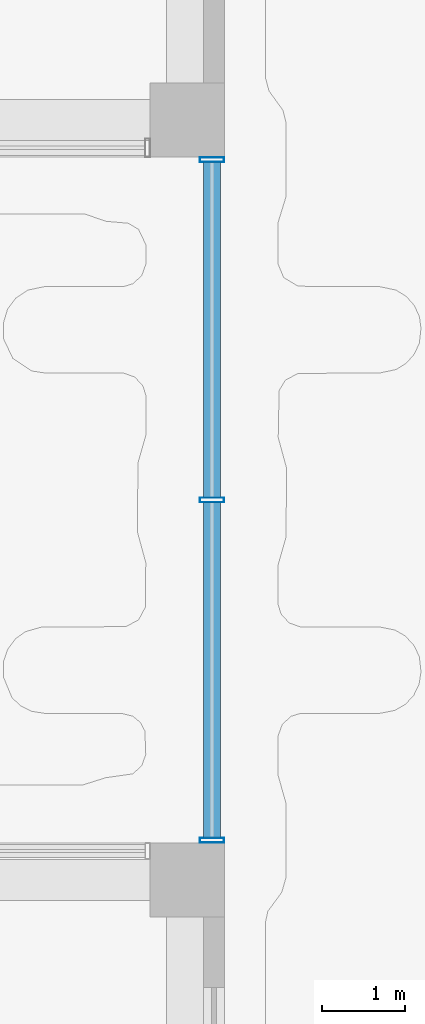
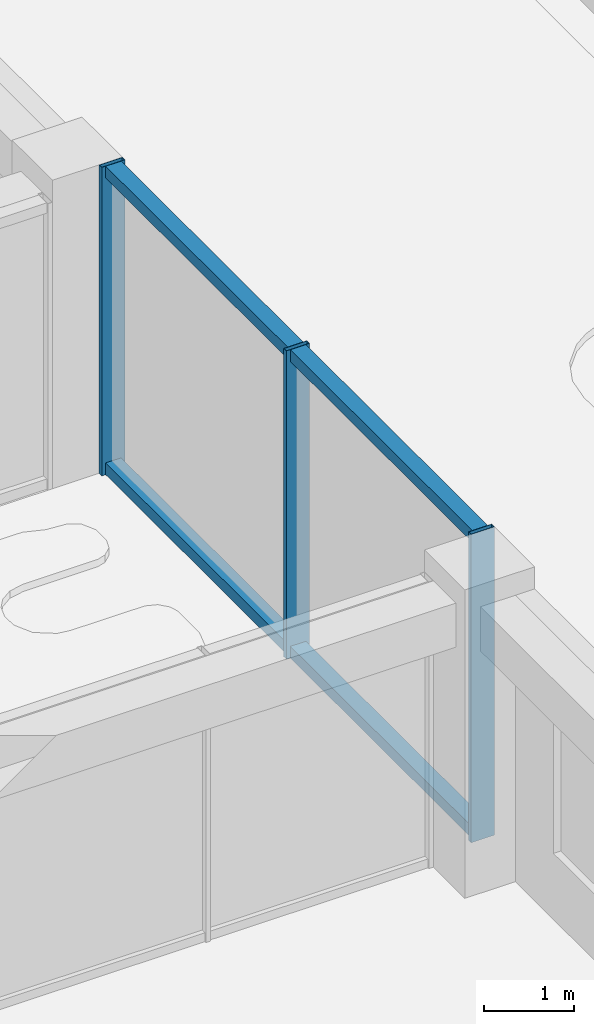
# One storey, part 19 of 72: 7 members, 1 element without a shape of its own.
"""IFC4 building model written with IfcOpenShell, lengths in metres."""

import ifcopenshell
import ifcopenshell.guid

model = None  # the IFC model being written
_history = None  # IfcOwnerHistory: only IFC2X3 demands one
_inside = {}  # id of a spatial element -> (the spatial element, [elements in it])
_under = {}  # id of a project, library or spatial element -> (it, [spatial elements below it])
_declared = {}  # id of a project -> (the project, [libraries it declares])
_typed = {}  # id of a type object -> (the type object, [elements of that type])
_made_of = {}  # id of a material, layer set ... -> (it, [elements and type objects made of it])


def new_model(schema):
    """Start an empty IFC model of exactly this schema.

    Asked for "IFC4X3", IfcOpenShell would pick the latest addendum, in which some entities
    have other attributes; the version numbers below select the first issue.
    IFC2X3 requires an IfcOwnerHistory on every rooted entity: one is made here for all.
    """
    global model, _history
    if schema == "IFC4X3":
        model = ifcopenshell.file(schema_version=(4, 3, 0, 0))
    else:
        model = ifcopenshell.file(schema=schema)
    _inside.clear()
    _under.clear()
    _declared.clear()
    _typed.clear()
    _made_of.clear()
    _history = None
    if model.schema == "IFC2X3":
        org = make("IfcOrganization", Name="unknown")
        user = make(
            "IfcPersonAndOrganization",
            ThePerson=make("IfcPerson", FamilyName="unknown"),
            TheOrganization=org,
        )
        app = make(
            "IfcApplication",
            ApplicationDeveloper=org,
            Version="unknown",
            ApplicationFullName="unknown",
            ApplicationIdentifier="unknown",
        )
        _history = make(
            "IfcOwnerHistory",
            OwningUser=user,
            OwningApplication=app,
            ChangeAction="ADDED",
            CreationDate=0,
        )
    return model


def make(cls, **values):
    """One entity of the class cls with the attributes given. An attribute that is None is left unset."""
    return model.create_entity(
        cls, **{name: value for name, value in values.items() if value is not None}
    )


def rooted(cls, **values):
    """An entity with a GlobalId (a new one), such as an element, a storey or a relation."""
    return make(cls, GlobalId=ifcopenshell.guid.new(), OwnerHistory=_history, **values)


def si_unit(unit_type, name, prefix=None):
    """IfcSIUnit, for example si_unit("LENGTHUNIT", "METRE", prefix="MILLI")."""
    return make("IfcSIUnit", UnitType=unit_type, Prefix=prefix, Name=name)


def assignment(units):
    """IfcUnitAssignment: the units of a project."""
    return None if units is None else make("IfcUnitAssignment", Units=units)


def point(xyz):
    """IfcCartesianPoint."""
    return None if xyz is None else make("IfcCartesianPoint", Coordinates=xyz)


def direction(xyz):
    """IfcDirection."""
    return None if xyz is None else make("IfcDirection", DirectionRatios=xyz)


def frame(location, z_axis=None, x_axis=None):
    """IfcAxis2Placement3D, a coordinate frame: its origin and axes. An axis left out is left unset."""
    return make(
        "IfcAxis2Placement3D",
        Location=point(location),
        Axis=direction(z_axis),
        RefDirection=direction(x_axis),
    )


def frame_2d(location, x_axis=None):
    """IfcAxis2Placement2D, a coordinate frame in the plane: its origin and x axis."""
    return make(
        "IfcAxis2Placement2D", Location=point(location), RefDirection=direction(x_axis)
    )


def origin():
    """The frame at (0, 0, 0) with its axes left unset."""
    return frame((0.0, 0.0, 0.0))


def origin_2d():
    """The frame at (0, 0) in the plane with its x axis left unset."""
    return frame_2d((0.0, 0.0))


def place(relative_to, where):
    """IfcLocalPlacement: puts the frame where relative to a parent placement (None: the world)."""
    return make(
        "IfcLocalPlacement", PlacementRelTo=relative_to, RelativePlacement=where
    )


def context(
    kind, dimensions, precision=None, world=None, true_north=None, identifier=None
):
    """IfcGeometricRepresentationContext, for example the 3D "Model" context."""
    return make(
        "IfcGeometricRepresentationContext",
        ContextIdentifier=identifier,
        ContextType=kind,
        CoordinateSpaceDimension=dimensions,
        Precision=precision,
        WorldCoordinateSystem=world,
        TrueNorth=true_north,
    )


def subcontext(parent, identifier, kind, view, scale=None):
    """IfcGeometricRepresentationSubContext, for example "Body" below "Model"."""
    return make(
        "IfcGeometricRepresentationSubContext",
        ContextIdentifier=identifier,
        ContextType=kind,
        ParentContext=parent,
        TargetScale=scale,
        TargetView=view,
    )


def project(units=None, contexts=None):
    """IfcProject with its units and contexts."""
    return rooted(
        "IfcProject",
        Name="project",
        RepresentationContexts=contexts,
        UnitsInContext=assignment(units),
    )


def spatial(cls, under=None, at=None, **own):
    """A site, building, storey or space (cls), placed at a placement, below another one or the project."""
    s = rooted(cls, ObjectPlacement=at, **own)
    if under is not None:
        _under.setdefault(under.id(), (under, []))[1].append(s)
    return s


def profile(cls, at=None, kind="AREA", **sizes):
    """A parametric profile (cls). Its sizes go by their IFC names, for example OverallWidth=200.0."""
    return make(cls, ProfileType=kind, Position=at, **sizes)


def hollow_rectangle(**sizes):
    """IfcRectangleHollowProfileDef."""
    return profile("IfcRectangleHollowProfileDef", **sizes)


def extrude(swept, where, along, depth):
    """IfcExtrudedAreaSolid: the profile swept, set in the frame where, extruded along a direction by depth."""
    return make(
        "IfcExtrudedAreaSolid",
        SweptArea=swept,
        Position=where,
        ExtrudedDirection=direction(along),
        Depth=depth,
    )


def shape(context_of_items, identifier, shape_type, items):
    """IfcShapeRepresentation: the items that make up one representation, for example the "Body"."""
    return make(
        "IfcShapeRepresentation",
        ContextOfItems=context_of_items,
        RepresentationIdentifier=identifier,
        RepresentationType=shape_type,
        Items=items,
    )


def material(Name=None, Category=None):
    """IfcMaterial."""
    return make("IfcMaterial", Name=Name, Category=Category)


def layer(
    of_material, thickness, ventilated=None, Name=None, Category=None, Priority=None
):
    """IfcMaterialLayer: one layer of a wall or slab, of a material (None: an air gap)."""
    return make(
        "IfcMaterialLayer",
        Material=of_material,
        LayerThickness=thickness,
        IsVentilated=ventilated,
        Name=Name,
        Category=Category,
        Priority=Priority,
    )


def layer_set(layers, Name=None):
    """IfcMaterialLayerSet."""
    return make("IfcMaterialLayerSet", MaterialLayers=layers, LayerSetName=Name)


def material_profile(
    of_material, cross_section, Name=None, Category=None, Priority=None
):
    """IfcMaterialProfile: a cross section and its material."""
    return make(
        "IfcMaterialProfile",
        Name=Name,
        Material=of_material,
        Profile=cross_section,
        Priority=Priority,
        Category=Category,
    )


def profile_set(profiles, Name=None, composite=None):
    """IfcMaterialProfileSet."""
    return make(
        "IfcMaterialProfileSet",
        Name=Name,
        MaterialProfiles=profiles,
        CompositeProfile=composite,
    )


def made_of(thing, what):
    """Note that an element or type object is made of a material, layer set ...; save() writes the relation."""
    if what is not None:
        _made_of.setdefault(what.id(), (what, []))[1].append(thing)
    return thing


def type_object(cls, material=None, **own):
    """A type object (cls), such as IfcWallType, which elements share."""
    return made_of(rooted(cls, **own), material)


def element(
    cls,
    number,
    at=None,
    inside=None,
    cuts=None,
    type_object=None,
    material=None,
    context=None,
    identifier="Body",
    shape_type=None,
    held_by="IfcProductDefinitionShape",
    body=None,
    shapes=None,
    **own,
):
    """One element of the class cls, such as IfcWall. Its Tag is "e" and its number.

    at: its placement. inside: the storey or other place that contains it. cuts: it is an
    opening in that element (IfcRelVoidsElement). A single representation is given by context,
    identifier, shape_type and body (its items); several are given by shapes. held_by: the class
    of the entity that holds the representations. save() writes the other relations.
    """
    e = rooted(cls, Tag="e%d" % number, ObjectPlacement=at, **own)
    if body is not None:
        shapes = [shape(context, identifier, shape_type, body)]
    if shapes is not None:
        e.Representation = make(held_by, Representations=shapes)
    if inside is not None:
        _inside.setdefault(inside.id(), (inside, []))[1].append(e)
    if cuts is not None:
        rooted(
            "IfcRelVoidsElement", RelatingBuildingElement=cuts, RelatedOpeningElement=e
        )
    if type_object is not None:
        _typed.setdefault(type_object.id(), (type_object, []))[1].append(e)
    return made_of(e, material)


def aggregate(whole, parts):
    """IfcRelAggregates: a whole, such as a stair, and the parts it consists of."""
    return rooted("IfcRelAggregates", RelatingObject=whole, RelatedObjects=parts)


def save(model, path):
    """Write the relations noted so far, then the file.

    IfcRelAggregates (storeys below a building ...), IfcRelContainedInSpatialStructure (elements
    in a storey), IfcRelDefinesByType, IfcRelAssociatesMaterial and IfcRelDeclares: one each for
    every whole, place, type object, material and project.
    """
    for whole, parts in _under.values():
        aggregate(whole, parts)
    for where, things in _inside.values():
        rooted(
            "IfcRelContainedInSpatialStructure",
            RelatedElements=things,
            RelatingStructure=where,
        )
    for kind, things in _typed.values():
        rooted("IfcRelDefinesByType", RelatedObjects=things, RelatingType=kind)
    for what, things in _made_of.values():
        rooted("IfcRelAssociatesMaterial", RelatedObjects=things, RelatingMaterial=what)
    for by, libraries in _declared.values():
        rooted("IfcRelDeclares", RelatingContext=by, RelatedDefinitions=libraries)
    model.write(path)


model = new_model("IFC4")

# Units and contexts
model_context = context("Model", 3, precision=1e-05, world=origin(), true_north=direction((0.0, 1.0)))
body_context = subcontext(model_context, "Body", "Model", "MODEL_VIEW")
ifc_project = project(units=[si_unit("LENGTHUNIT", "METRE"), si_unit("AREAUNIT", "SQUARE_METRE"), si_unit("VOLUMEUNIT", "CUBIC_METRE"), si_unit("PLANEANGLEUNIT", "RADIAN"), si_unit("MASSUNIT", "GRAM", prefix="KILO")], contexts=[model_context])

# Site, building, storey
site_placement = place(None, origin())
site = spatial("IfcSite", under=ifc_project, at=site_placement, CompositionType="ELEMENT")
building_placement = place(site_placement, origin())
building = spatial("IfcBuilding", under=site, at=building_placement, Name="Nzadi Deep Aquarium and Research Tower", CompositionType="ELEMENT")
storey_placement = place(building_placement, frame((0.0, 0.0, 31.89990234375)))
storey = spatial("IfcBuildingStorey", under=building, at=storey_placement, Name="L05", CompositionType="ELEMENT", Elevation=31.89990234375)

# Curtain wall, members
ifc_material_1 = material(Name="Aluminium unitised frame wind post", Category="aluminium")
ifc_layer = layer(ifc_material_1, 0.300048828125)
ifc_layer_set = layer_set([ifc_layer], Name="Aluminium unitised frame wind post")
curtain_wall_type = type_object("IfcCurtainWallType", Name="Curtain wall Slot End 300", PredefinedType="NOTDEFINED", material=ifc_layer_set)
curtain_wall_placement = place(storey_placement, origin())
curtain_wall = element("IfcCurtainWall", 1, at=curtain_wall_placement, inside=storey, type_object=curtain_wall_type, Name="Glazed slot end east L05", PredefinedType="NOTDEFINED")
ifc_material_2 = material(Name="Aluminium unitised frame wind post", Category="aluminium")
ifc_material_profile_1 = material_profile(ifc_material_2, hollow_rectangle(XDim=0.300048828125, YDim=0.06005859375, WallThickness=0.0048828125, at=origin_2d()))
ifc_profile_set_1 = profile_set([ifc_material_profile_1], Name="Aluminium unitised frame wind post")
member_type_1 = type_object("IfcMemberType", Name="Mullion 60x300 Slot End", PredefinedType="MULLION", material=ifc_profile_set_1)
member_1_placement = place(storey_placement, frame((48.300048828125, 18.8798828125, 0.0), z_axis=(0.0, 0.0, 1.0), x_axis=(-1.0, 0.0, 0.0)))
member_1 = element("IfcMember", 2, at=member_1_placement, type_object=member_type_1, Name="CW202 mullion 1", PredefinedType="MULLION", context=body_context, shape_type="SweptSolid", body=[
    extrude(hollow_rectangle(XDim=0.300048828125, YDim=0.06005859375, WallThickness=0.0048828125, at=origin_2d()), origin(), (0.0, 0.0, 1.0), 4.2001953125),
])
member_2_placement = place(storey_placement, frame((48.300048828125, 23.0, 0.0), z_axis=(0.0, 0.0, 1.0), x_axis=(-1.0, 0.0, 0.0)))
member_2 = element("IfcMember", 3, at=member_2_placement, type_object=member_type_1, Name="CW202 mullion 2", PredefinedType="MULLION", context=body_context, shape_type="SweptSolid", body=[
    extrude(hollow_rectangle(XDim=0.300048828125, YDim=0.06005859375, WallThickness=0.0048828125, at=origin_2d()), origin(), (0.0, 0.0, 1.0), 4.2001953125),
])
member_3_placement = place(storey_placement, frame((48.300048828125, 27.1201171875, 0.0), z_axis=(0.0, 0.0, 1.0), x_axis=(-1.0, 0.0, 0.0)))
member_3 = element("IfcMember", 4, at=member_3_placement, type_object=member_type_1, Name="CW202 mullion 3", PredefinedType="MULLION", context=body_context, shape_type="SweptSolid", body=[
    extrude(hollow_rectangle(XDim=0.300048828125, YDim=0.06005859375, WallThickness=0.0048828125, at=origin_2d()), origin(), (0.0, 0.0, 1.0), 4.2001953125),
])
ifc_material_3 = material(Name="Aluminium unitised frame wind post", Category="aluminium")
ifc_material_profile_2 = material_profile(ifc_material_3, hollow_rectangle(XDim=0.199951171875, YDim=0.159912109375, WallThickness=0.0048828125, at=origin_2d()))
ifc_profile_set_2 = profile_set([ifc_material_profile_2], Name="Aluminium unitised frame wind post")
member_type_2 = type_object("IfcMemberType", Name="Transom 160x200 Slot End", PredefinedType="MULLION", material=ifc_profile_set_2)
member_4_placement = place(storey_placement, frame((48.300048828125, 18.909912109375, 0.080078125), z_axis=(0.0, 1.0, 0.0), x_axis=(-1.0, 0.0, 0.0)))
member_4 = element("IfcMember", 5, at=member_4_placement, type_object=member_type_2, Name="CW202 transom 1.1", PredefinedType="MULLION", context=body_context, shape_type="SweptSolid", body=[
    extrude(hollow_rectangle(XDim=0.199951171875, YDim=0.159912109375, WallThickness=0.0048828125, at=origin_2d()), origin(), (0.0, 0.0, 1.0), 4.06005859375),
])
member_5_placement = place(storey_placement, frame((48.300048828125, 18.909912109375, 4.1201171875), z_axis=(0.0, 1.0, 0.0), x_axis=(-1.0, 0.0, 0.0)))
member_5 = element("IfcMember", 6, at=member_5_placement, type_object=member_type_2, Name="CW202 transom 1.2", PredefinedType="MULLION", context=body_context, shape_type="SweptSolid", body=[
    extrude(hollow_rectangle(XDim=0.199951171875, YDim=0.159912109375, WallThickness=0.0048828125, at=origin_2d()), origin(), (0.0, 0.0, 1.0), 4.06005859375),
])
member_6_placement = place(storey_placement, frame((48.300048828125, 23.030029296875, 0.080078125), z_axis=(0.0, 1.0, 0.0), x_axis=(-1.0, 0.0, 0.0)))
member_6 = element("IfcMember", 7, at=member_6_placement, type_object=member_type_2, Name="CW202 transom 2.1", PredefinedType="MULLION", context=body_context, shape_type="SweptSolid", body=[
    extrude(hollow_rectangle(XDim=0.199951171875, YDim=0.159912109375, WallThickness=0.0048828125, at=origin_2d()), origin(), (0.0, 0.0, 1.0), 4.06005859375),
])
member_7_placement = place(storey_placement, frame((48.300048828125, 23.030029296875, 4.1201171875), z_axis=(0.0, 1.0, 0.0), x_axis=(-1.0, 0.0, 0.0)))
member_7 = element("IfcMember", 8, at=member_7_placement, type_object=member_type_2, Name="CW202 transom 2.2", PredefinedType="MULLION", context=body_context, shape_type="SweptSolid", body=[
    extrude(hollow_rectangle(XDim=0.199951171875, YDim=0.159912109375, WallThickness=0.0048828125, at=origin_2d()), origin(), (0.0, 0.0, 1.0), 4.06005859375),
])
aggregate(curtain_wall, [member_1, member_2, member_3, member_4, member_5, member_6, member_7])

save(model, "model.ifc")
